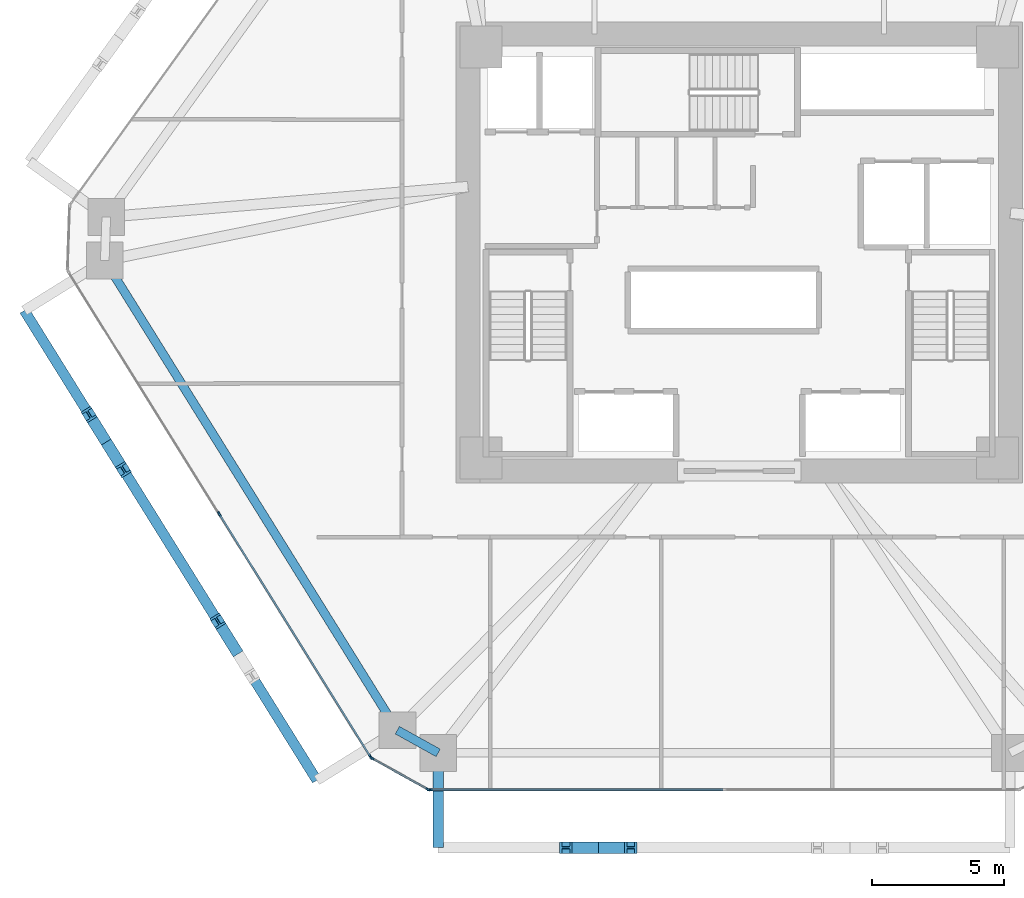
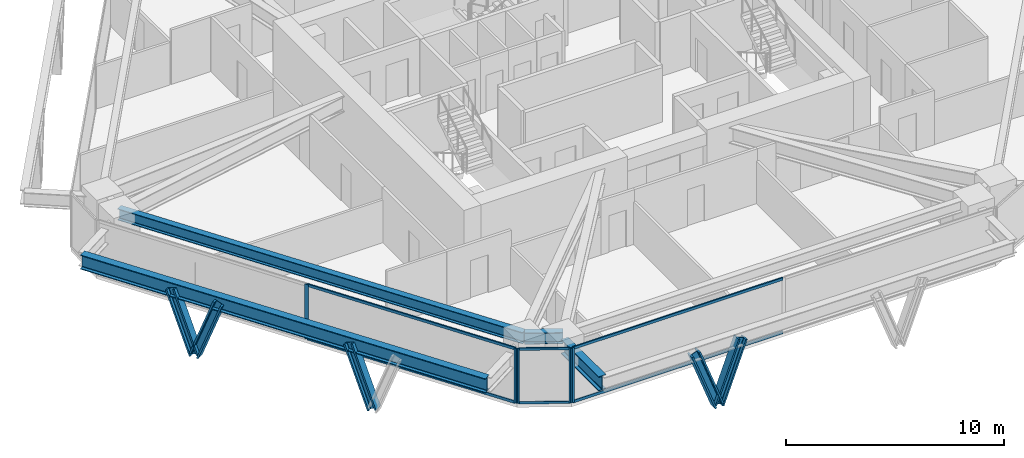
# One storey, part 2 of 15: 16 members, 4 beams, 3 elements without a shape of their own.
"""IFC4 building model written with IfcOpenShell, lengths in metres."""

from ifc_helpers import new_model, si_unit, direction, frame, origin, origin_2d, place, context, subcontext, project, spatial, rectangle, i_section, extrude, source, transform, mapped, material, layer, layer_set, material_profile, profile_set, type_object, type_shapes, element, aggregate, save


model = new_model("IFC4")

# Units and contexts
model_context = context("Model", 3, precision=1e-05, world=origin(), true_north=direction((0.0, 1.0)))
body_context = subcontext(model_context, "Body", "Model", "MODEL_VIEW")
ifc_project = project(units=[si_unit("LENGTHUNIT", "METRE"), si_unit("AREAUNIT", "SQUARE_METRE"), si_unit("VOLUMEUNIT", "CUBIC_METRE"), si_unit("PLANEANGLEUNIT", "RADIAN"), si_unit("MASSUNIT", "GRAM", prefix="KILO")], contexts=[model_context])

# Site, building, storey
site_placement = place(None, origin())
site = spatial("IfcSite", under=ifc_project, at=site_placement, CompositionType="ELEMENT")
building_placement = place(site_placement, origin())
building = spatial("IfcBuilding", under=site, at=building_placement, Name="Durnholm Broadcast Tower", CompositionType="ELEMENT")
storey_placement = place(building_placement, frame((0.0, 0.0, 42.300048828125)))
storey = spatial("IfcBuildingStorey", under=building, at=storey_placement, Name="L09", CompositionType="ELEMENT", Elevation=42.300048828125)

# Beams
ifc_material_1 = material(Name="Steel ASTM A992 Grade 50", Category="steel")
ifc_material_profile_1 = material_profile(ifc_material_1, i_section(OverallWidth=0.3291015625, OverallDepth=0.635009765625, WebThickness=0.017822265625, FlangeThickness=0.031005859375, FilletRadius=0.02783203125, at=origin_2d()), Name="W24X162")
ifc_profile_set_1 = profile_set([ifc_material_profile_1], Name="Steel ASTM A992 Grade 50")
beam_type_1 = type_object("IfcBeamType", Name="STL-SP-W24X162", PredefinedType="SPANDREL", material=ifc_profile_set_1)
shared_shape_1 = source(origin(), body_context, "Body", "SweptSolid", [
    extrude(i_section(OverallWidth=0.3291015625, OverallDepth=0.635009765625, WebThickness=0.017822265625, FlangeThickness=0.031005859375, FilletRadius=0.02783203125, at=origin_2d()), origin(), (0.0, 0.0, 1.0), 21.014404296875),
])
beam_1_placement = place(storey_placement, frame((-12.982666015625, -18.138427734375, 2.7275390625), z_axis=(-0.528595731543, 0.848873696491, 0.0), x_axis=(-0.848873696491, -0.528595731543, 0.0)))
element("IfcBeam", 1, at=beam_1_placement, inside=storey, type_object=beam_type_1, Name="L09 perimeter spandrel girder 01", PredefinedType="SPANDREL", context=body_context, shape_type="MappedRepresentation", body=[
    mapped(shared_shape_1, transform((0.0, 0.0, 0.0), x_axis=(1.0, 0.0, 0.0), y_axis=(0.0, 1.0, 0.0), z_axis=(0.0, 0.0, 1.0), scale=1.0)),
])
shared_shape_2 = source(origin(), body_context, "Body", "SweptSolid", [
    extrude(i_section(OverallWidth=0.3291015625, OverallDepth=0.635009765625, WebThickness=0.017822265625, FlangeThickness=0.031005859375, FilletRadius=0.02783203125, at=origin_2d()), origin(), (0.0, 0.0, 1.0), 1.774658203125),
])
type_shapes(beam_type_1, [shared_shape_1, shared_shape_2])
beam_2_placement = place(storey_placement, frame((-11.43115234375, -19.0, 2.7275390625), z_axis=(-0.874248107979, 0.485479397806, 0.0), x_axis=(-0.485479397806, -0.874248107979, 0.0)))
element("IfcBeam", 2, at=beam_2_placement, inside=storey, type_object=beam_type_1, Name="L09 perimeter spandrel girder 12", PredefinedType="SPANDREL", context=body_context, shape_type="MappedRepresentation", body=[
    mapped(shared_shape_2, transform((0.0, 0.0, 0.0), x_axis=(1.0, 0.0, 0.0), y_axis=(0.0, 1.0, 0.0), z_axis=(0.0, 0.0, 1.0), scale=1.0)),
])
ifc_material_profile_2 = material_profile(ifc_material_1, i_section(OverallWidth=0.385009765625, OverallDepth=0.802978515625, WebThickness=0.023681640625, FlangeThickness=0.0419921875, FilletRadius=0.032958984375, at=origin_2d()), Name="W30X261")
ifc_profile_set_2 = profile_set([ifc_material_profile_2], Name="Steel ASTM A992 Grade 50")
beam_type_2 = type_object("IfcBeamType", Name="BM-EXO-TIE", PredefinedType="USERDEFINED", material=ifc_profile_set_2)
shared_shape_3 = source(origin(), body_context, "Body", "SweptSolid", [
    extrude(i_section(OverallWidth=0.385009765625, OverallDepth=0.802978515625, WebThickness=0.023681640625, FlangeThickness=0.0419921875, FilletRadius=0.032958984375, at=origin_2d()), origin(), (0.0, 0.0, 1.0), 3.4560546875),
])
beam_3_placement = place(storey_placement, frame((-11.43115234375, -19.14404296875, 2.30859375), z_axis=(0.0, -1.0, 0.0), x_axis=(1.0, 0.0, 0.0)))
element("IfcBeam", 3, at=beam_3_placement, inside=storey, type_object=beam_type_2, Name="L09 exoskeleton stand-off tie bracket F1.1", ObjectType="GIRDER", PredefinedType="USERDEFINED", context=body_context, shape_type="MappedRepresentation", body=[
    mapped(shared_shape_3, transform((0.0, 0.0, 0.0), x_axis=(1.0, 0.0, 0.0), y_axis=(0.0, 1.0, 0.0), z_axis=(0.0, 0.0, 1.0), scale=1.0)),
])
shared_shape_4 = source(origin(), body_context, "Body", "SweptSolid", [
    extrude(i_section(OverallWidth=0.385009765625, OverallDepth=0.802978515625, WebThickness=0.023681640625, FlangeThickness=0.0419921875, FilletRadius=0.032958984375, at=origin_2d()), origin(), (0.0, 0.0, 1.0), 21.0146484375),
])
type_shapes(beam_type_2, [shared_shape_3, shared_shape_4])
beam_4_placement = place(storey_placement, frame((-27.146728515625, -2.20263671875, 2.30859375), z_axis=(0.528590518575, -0.848876942597, 0.0), x_axis=(0.848876942597, 0.528590518575, 0.0)))
element("IfcBeam", 4, at=beam_4_placement, inside=storey, type_object=beam_type_2, Name="L09 exoskeleton collector spandrel F6", PredefinedType="SPANDREL", context=body_context, shape_type="MappedRepresentation", body=[
    mapped(shared_shape_4, transform((0.0, 0.0, 0.0), x_axis=(1.0, 0.0, 0.0), y_axis=(0.0, 1.0, 0.0), z_axis=(0.0, 0.0, 1.0), scale=1.0)),
])

# Members
ifc_material_2 = material(Name="Steel ASTM A913 Grade 65", Category="steel")
ifc_material_profile_3 = material_profile(ifc_material_2, i_section(OverallWidth=0.43212890625, OverallDepth=0.497802734375, WebThickness=0.0556640625, FlangeThickness=0.0888671875, FilletRadius=0.030517578125, at=origin_2d()), Name="W14X500")
ifc_profile_set_3 = profile_set([ifc_material_profile_3], Name="Steel ASTM A913 Grade 65")
member_type_1 = type_object("IfcMemberType", Name="STL-DG-W14X500", PredefinedType="BRACE", material=ifc_profile_set_3)
shared_shape_5 = source(origin(), body_context, "Body", "SweptSolid", [
    extrude(i_section(OverallWidth=0.43212890625, OverallDepth=0.497802734375, WebThickness=0.0556640625, FlangeThickness=0.0888671875, FilletRadius=0.030517578125, at=origin_2d()), origin(), (0.0, 0.0, 1.0), 3.523193359375),
])
type_shapes(member_type_1, [shared_shape_5])
for number, where, z_axis, x_axis, name in (
    (5, (-5.351318359375, -22.60009765625, -0.991455078125), (-0.350219588454, 0.0, 0.936667625075), (0.0, -1.0, 0.0), "L09 stand-off diagrid brace F1.D1.1"),
    (6, (-5.351318359375, -22.60009765625, -0.991455078125), (0.350219588454, 0.0, 0.936667625075), (0.0, 1.0, 0.0), "L09 stand-off diagrid brace F1.D1.2"),
    (7, (-24.036376953125, -7.197509765625, -0.991455078125), (-0.185157304084, 0.297277258428, 0.936665897941), (-0.848819847179, -0.528682198523, 0.0), "L09 stand-off diagrid brace F6.D1.1"),
    (8, (-24.036376953125, -7.197509765625, -0.991455078125), (0.185090383068, -0.297281072018, 0.936677913861), (0.848908635391, 0.528539618911, 0.0), "L09 stand-off diagrid brace F6.D1.2"),
    (9, (-19.14892578125, -15.04638671875, -0.991455078125), (-0.185090383068, 0.297281072018, 0.936677913861), (-0.848908635391, -0.528539618911, 0.0), "L09 stand-off diagrid brace F6.D2.1"),
):
    element("IfcMember", number, at=place(storey_placement, frame(where, z_axis=z_axis, x_axis=x_axis)), inside=storey, type_object=member_type_1, Name=name, PredefinedType="BRACE", context=body_context, shape_type="MappedRepresentation", body=[
        mapped(shared_shape_5, transform((0.0, 0.0, 0.0), x_axis=(1.0, 0.0, 0.0), y_axis=(0.0, 1.0, 0.0), z_axis=(0.0, 0.0, 1.0), scale=1.0)),
    ])

# Curtain wall, members
ifc_material_3 = material(Name="Aluminium and Solar Control IGU", Category="aluminium")
ifc_layer_1 = layer(ifc_material_3, 0.1650390625)
ifc_layer_set_1 = layer_set([ifc_layer_1], Name="Aluminium and Solar Control IGU")
curtain_wall_type_1 = type_object("IfcCurtainWallType", Name="CW-SYS-5", PredefinedType="NOTDEFINED", material=ifc_layer_set_1)
curtain_wall_1_placement = place(storey_placement, origin())
curtain_wall_1 = element("IfcCurtainWall", 10, at=curtain_wall_1_placement, inside=storey, type_object=curtain_wall_type_1, Name="L09 curtain wall CW-CORNER CW-L09-CRN-11", PredefinedType="NOTDEFINED")
ifc_material_4 = material(Name="Aluminium 6063-T6", Category="aluminium")
ifc_material_profile_4 = material_profile(ifc_material_4, rectangle(XDim=0.06494140625, YDim=0.1650390625, at=origin_2d()), Name="CWM65X165")
ifc_profile_set_4 = profile_set([ifc_material_profile_4], Name="Aluminium 6063-T6")
member_type_2 = type_object("IfcMemberType", Name="CW-SYS-5-MUL", PredefinedType="MULLION", material=ifc_profile_set_4)
shared_shape_6 = source(origin(), body_context, "Body", "SweptSolid", [
    extrude(rectangle(XDim=0.06494140625, YDim=0.1650390625, at=origin_2d()), origin(), (0.0, 0.0, 1.0), 3.06005859375),
])
type_shapes(member_type_2, [shared_shape_6])
member_1_placement = place(storey_placement, frame((-11.822265625, -20.38427734375, 0.0), z_axis=(0.0, 0.0, 1.0), x_axis=(-0.485483299359, -0.874245941394, 0.0)))
member_1 = element("IfcMember", 11, at=member_1_placement, type_object=member_type_2, Name="CW-CORNER mullion 1", PredefinedType="MULLION", context=body_context, shape_type="MappedRepresentation", body=[
    mapped(shared_shape_6, transform((0.0, 0.0, 0.0), x_axis=(1.0, 0.0, 0.0), y_axis=(0.0, 1.0, 0.0), z_axis=(0.0, 0.0, 1.0), scale=1.0)),
])
member_2_placement = place(storey_placement, frame((-13.950927734375, -19.2021484375, 0.0), z_axis=(0.0, 0.0, 1.0), x_axis=(-0.485483299359, -0.874245941394, 0.0)))
member_2 = element("IfcMember", 12, at=member_2_placement, type_object=member_type_2, Name="CW-CORNER mullion 2", PredefinedType="MULLION", context=body_context, shape_type="MappedRepresentation", body=[
    mapped(shared_shape_6, transform((0.0, 0.0, 0.0), x_axis=(1.0, 0.0, 0.0), y_axis=(0.0, 1.0, 0.0), z_axis=(0.0, 0.0, 1.0), scale=1.0)),
])
ifc_material_profile_5 = material_profile(ifc_material_4, rectangle(XDim=0.06494140625, YDim=0.1298828125, at=origin_2d()), Name="CWT65X130")
ifc_profile_set_5 = profile_set([ifc_material_profile_5], Name="Aluminium 6063-T6")
member_type_3 = type_object("IfcMemberType", Name="CW-SYS-5-TRN", PredefinedType="USERDEFINED", material=ifc_profile_set_5)
shared_shape_7 = source(origin(), body_context, "Body", "SweptSolid", [
    extrude(rectangle(XDim=0.06494140625, YDim=0.1298828125, at=origin_2d()), origin(), (0.0, 0.0, 1.0), 2.3701171875),
])
type_shapes(member_type_3, [shared_shape_7])
member_3_placement = place(storey_placement, frame((-11.8505859375, -20.368408203125, 0.032470703125), z_axis=(-0.874244723151, 0.485485493132, 0.0), x_axis=(-0.485485493132, -0.874244723151, 0.0)))
member_3 = element("IfcMember", 13, at=member_3_placement, type_object=member_type_3, Name="CW-CORNER transom 1.1", ObjectType="TRANSOM", PredefinedType="USERDEFINED", context=body_context, shape_type="MappedRepresentation", body=[
    mapped(shared_shape_7, transform((0.0, 0.0, 0.0), x_axis=(1.0, 0.0, 0.0), y_axis=(0.0, 1.0, 0.0), z_axis=(0.0, 0.0, 1.0), scale=1.0)),
])
member_4_placement = place(storey_placement, frame((-11.8505859375, -20.368408203125, 3.02734375), z_axis=(-0.874244723151, 0.485485493132, 0.0), x_axis=(-0.485485493132, -0.874244723151, 0.0)))
member_4 = element("IfcMember", 14, at=member_4_placement, type_object=member_type_3, Name="CW-CORNER transom 1.2", ObjectType="TRANSOM", PredefinedType="USERDEFINED", context=body_context, shape_type="MappedRepresentation", body=[
    mapped(shared_shape_7, transform((0.0, 0.0, 0.0), x_axis=(1.0, 0.0, 0.0), y_axis=(0.0, 1.0, 0.0), z_axis=(0.0, 0.0, 1.0), scale=1.0)),
])
aggregate(curtain_wall_1, [member_1, member_2, member_3, member_4])

# Curtain wall, member
ifc_layer_2 = layer(ifc_material_3, 0.18994140625)
ifc_layer_set_2 = layer_set([ifc_layer_2], Name="Aluminium and Solar Control IGU")
curtain_wall_type_2 = type_object("IfcCurtainWallType", Name="CW-SYS-3", PredefinedType="NOTDEFINED", material=ifc_layer_set_2)
curtain_wall_2_placement = place(storey_placement, origin())
curtain_wall_2 = element("IfcCurtainWall", 15, at=curtain_wall_2_placement, inside=storey, type_object=curtain_wall_type_2, Name="L09 curtain wall CW-Z12-VIS CW-L09-F10", PredefinedType="NOTDEFINED")
ifc_material_profile_6 = material_profile(ifc_material_4, rectangle(XDim=0.070068359375, YDim=0.18994140625, at=origin_2d()), Name="CWM70X190")
ifc_profile_set_6 = profile_set([ifc_material_profile_6], Name="Aluminium 6063-T6")
member_type_4 = type_object("IfcMemberType", Name="CW-SYS-3-MUL", PredefinedType="MULLION", material=ifc_profile_set_6)
shared_shape_8 = source(origin(), body_context, "Body", "SweptSolid", [
    extrude(rectangle(XDim=0.070068359375, YDim=0.18994140625, at=origin_2d()), origin(), (0.0, 0.0, 1.0), 3.06005859375),
])
type_shapes(member_type_4, [shared_shape_8])
member_5_placement = place(storey_placement, frame((-11.7587890625, -20.39990234375, 0.0), z_axis=(0.0, 0.0, 1.0), x_axis=(0.0, -1.0, 0.0)))
member_5 = element("IfcMember", 16, at=member_5_placement, type_object=member_type_4, Name="CW-Z12-VIS mullion 3", PredefinedType="MULLION", context=body_context, shape_type="MappedRepresentation", body=[
    mapped(shared_shape_8, transform((0.0, 0.0, 0.0), x_axis=(1.0, 0.0, 0.0), y_axis=(0.0, 1.0, 0.0), z_axis=(0.0, 0.0, 1.0), scale=1.0)),
])

# Curtain wall, members
curtain_wall_3_placement = place(storey_placement, origin())
curtain_wall_3 = element("IfcCurtainWall", 17, at=curtain_wall_3_placement, inside=storey, type_object=curtain_wall_type_2, Name="L09 curtain wall CW-Z12-VIS CW-L09-F12", PredefinedType="NOTDEFINED")
member_6_placement = place(storey_placement, frame((-13.997802734375, -19.156494140625, 0.0), z_axis=(0.0, 0.0, 1.0), x_axis=(-0.848875785503, -0.528592376777, 0.0)))
member_6 = element("IfcMember", 18, at=member_6_placement, type_object=member_type_4, Name="CW-Z12-VIS mullion 1", PredefinedType="MULLION", context=body_context, shape_type="MappedRepresentation", body=[
    mapped(shared_shape_8, transform((0.0, 0.0, 0.0), x_axis=(1.0, 0.0, 0.0), y_axis=(0.0, 1.0, 0.0), z_axis=(0.0, 0.0, 1.0), scale=1.0)),
])
member_7_placement = place(storey_placement, frame((-19.741943359375, -9.93212890625, 0.0), z_axis=(0.0, 0.0, 1.0), x_axis=(-0.848875785503, -0.528592376777, 0.0)))
member_7 = element("IfcMember", 19, at=member_7_placement, type_object=member_type_4, Name="CW-Z12-VIS mullion 2", PredefinedType="MULLION", context=body_context, shape_type="MappedRepresentation", body=[
    mapped(shared_shape_8, transform((0.0, 0.0, 0.0), x_axis=(1.0, 0.0, 0.0), y_axis=(0.0, 1.0, 0.0), z_axis=(0.0, 0.0, 1.0), scale=1.0)),
])
ifc_material_profile_7 = material_profile(ifc_material_4, rectangle(XDim=0.070068359375, YDim=0.14990234375, at=origin_2d()), Name="CWT70X150")
ifc_profile_set_7 = profile_set([ifc_material_profile_7], Name="Aluminium 6063-T6")
member_type_5 = type_object("IfcMemberType", Name="CW-SYS-3-TRN", PredefinedType="USERDEFINED", material=ifc_profile_set_7)
shared_shape_9 = source(origin(), body_context, "Body", "SweptSolid", [
    extrude(rectangle(XDim=0.070068359375, YDim=0.14990234375, at=origin_2d()), origin(), (0.0, 0.0, 1.0), 10.796630859375),
])
member_8_placement = place(storey_placement, frame((-14.016357421875, -19.126953125, 0.034912109375), z_axis=(-0.528591657678, 0.848876233283, 0.0), x_axis=(-0.848876233283, -0.528591657678, 0.0)))
member_8 = element("IfcMember", 20, at=member_8_placement, type_object=member_type_5, Name="CW-Z12-VIS transom 1.1", ObjectType="TRANSOM", PredefinedType="USERDEFINED", context=body_context, shape_type="MappedRepresentation", body=[
    mapped(shared_shape_9, transform((0.0, 0.0, 0.0), x_axis=(1.0, 0.0, 0.0), y_axis=(0.0, 1.0, 0.0), z_axis=(0.0, 0.0, 1.0), scale=1.0)),
])
member_9_placement = place(storey_placement, frame((-14.016357421875, -19.126953125, 3.02490234375), z_axis=(-0.528591657678, 0.848876233283, 0.0), x_axis=(-0.848876233283, -0.528591657678, 0.0)))
member_9 = element("IfcMember", 21, at=member_9_placement, type_object=member_type_5, Name="CW-Z12-VIS transom 1.2", ObjectType="TRANSOM", PredefinedType="USERDEFINED", context=body_context, shape_type="MappedRepresentation", body=[
    mapped(shared_shape_9, transform((0.0, 0.0, 0.0), x_axis=(1.0, 0.0, 0.0), y_axis=(0.0, 1.0, 0.0), z_axis=(0.0, 0.0, 1.0), scale=1.0)),
])
aggregate(curtain_wall_3, [member_6, member_7, member_8, member_9])

# Member
shared_shape_10 = source(origin(), body_context, "Body", "SweptSolid", [
    extrude(rectangle(XDim=0.070068359375, YDim=0.14990234375, at=origin_2d()), origin(), (0.0, 0.0, 1.0), 11.10205078125),
])
type_shapes(member_type_5, [shared_shape_9, shared_shape_10])
member_10_placement = place(storey_placement, frame((-0.621826171875, -20.39990234375, 0.034912109375), z_axis=(-1.0, 0.0, 0.0), x_axis=(0.0, -1.0, 0.0)))
member_10 = element("IfcMember", 22, at=member_10_placement, type_object=member_type_5, Name="CW-Z12-VIS transom 2.1", ObjectType="TRANSOM", PredefinedType="USERDEFINED", context=body_context, shape_type="MappedRepresentation", body=[
    mapped(shared_shape_10, transform((0.0, 0.0, 0.0), x_axis=(1.0, 0.0, 0.0), y_axis=(0.0, 1.0, 0.0), z_axis=(0.0, 0.0, 1.0), scale=1.0)),
])

member_11_placement = place(storey_placement, frame((-0.621826171875, -20.39990234375, 3.02490234375), z_axis=(-1.0, 0.0, 0.0), x_axis=(0.0, -1.0, 0.0)))
member_11 = element("IfcMember", 23, at=member_11_placement, type_object=member_type_5, Name="CW-Z12-VIS transom 2.2", ObjectType="TRANSOM", PredefinedType="USERDEFINED", context=body_context, shape_type="MappedRepresentation", body=[
    mapped(shared_shape_10, transform((0.0, 0.0, 0.0), x_axis=(1.0, 0.0, 0.0), y_axis=(0.0, 1.0, 0.0), z_axis=(0.0, 0.0, 1.0), scale=1.0)),
])

aggregate(curtain_wall_2, [member_5, member_10, member_11])

save(model, "model.ifc")
